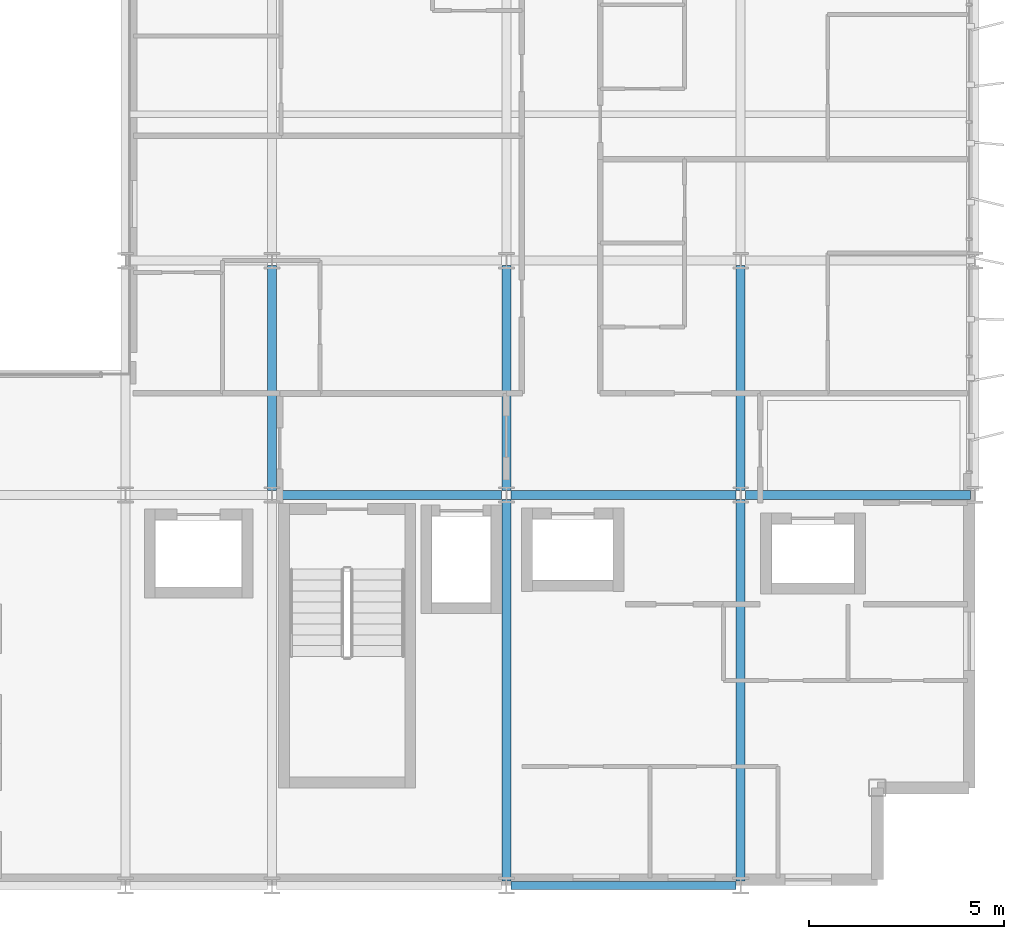
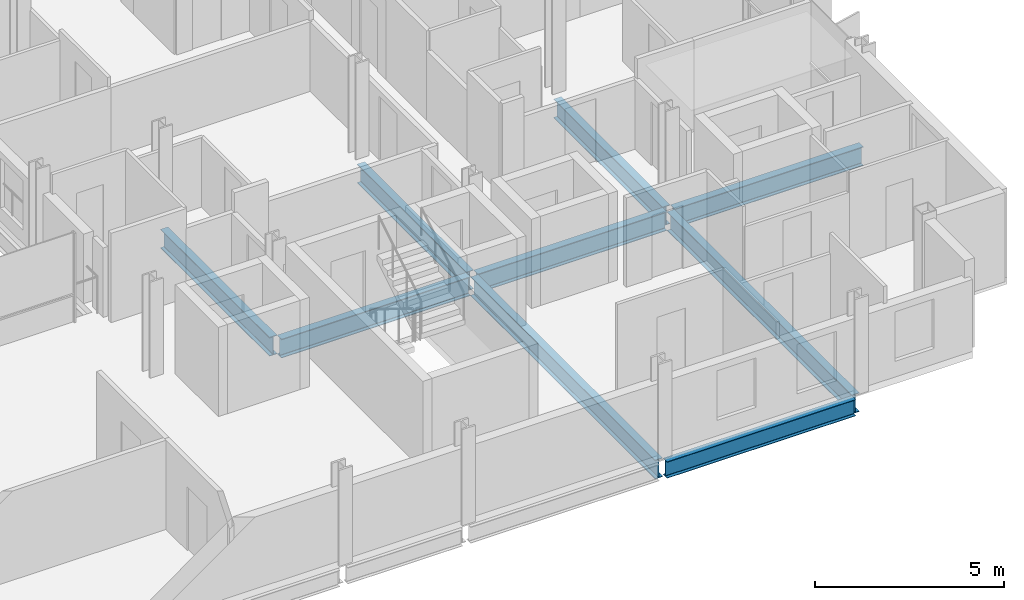
# One storey, part 14 of 39: 9 beams.
"""IFC4 building model written with IfcOpenShell, lengths in metres."""

from ifc_helpers import new_model, si_unit, direction, frame, origin, origin_2d, place, context, subcontext, project, spatial, i_section, extrude, material, material_profile, profile_set, type_object, element, save


model = new_model("IFC4")

# Units and contexts
model_context = context("Model", 3, precision=1e-05, world=origin(), true_north=direction((0.0, 1.0)))
body_context = subcontext(model_context, "Body", "Model", "MODEL_VIEW")
ifc_project = project(units=[si_unit("LENGTHUNIT", "METRE"), si_unit("AREAUNIT", "SQUARE_METRE"), si_unit("VOLUMEUNIT", "CUBIC_METRE"), si_unit("PLANEANGLEUNIT", "RADIAN"), si_unit("MASSUNIT", "GRAM", prefix="KILO")], contexts=[model_context])

# Site, building, storey
site_placement = place(None, origin())
site = spatial("IfcSite", under=ifc_project, at=site_placement, CompositionType="ELEMENT")
building_placement = place(site_placement, origin())
building = spatial("IfcBuilding", under=site, at=building_placement, Name="Brevholm Reach", CompositionType="ELEMENT")
storey_placement = place(building_placement, frame((0.0, 0.0, 103.5)))
storey = spatial("IfcBuildingStorey", under=building, at=storey_placement, Name="L30", CompositionType="ELEMENT", Elevation=103.5)

# Beams
ifc_material_1 = material(Name="Structural Steel S355J2", Category="steel")
ifc_material_profile_1 = material_profile(ifc_material_1, i_section(OverallWidth=0.209228515625, OverallDepth=0.533203125, WebThickness=0.010009765625, FlangeThickness=0.015625, FilletRadius=0.0126953125, at=origin_2d()), Name="UKB 533x210x92")
ifc_profile_set_1 = profile_set([ifc_material_profile_1], Name="Structural Steel S355J2")
beam_type_1 = type_object("IfcBeamType", Name="BM-SP533", PredefinedType="SPANDREL", material=ifc_profile_set_1)
beam_1_placement = place(storey_placement, frame((48.1201171875, 0.0, -0.486572265625), z_axis=(1.0, 0.0, 0.0), x_axis=(0.0, 1.0, 0.0)))
element("IfcBeam", 1, at=beam_1_placement, inside=storey, type_object=beam_type_1, Name="L30 SP-02 Framing Beam", PredefinedType="SPANDREL", context=body_context, shape_type="SweptSolid", body=[
    extrude(i_section(OverallWidth=0.209228515625, OverallDepth=0.533203125, WebThickness=0.010009765625, FlangeThickness=0.015625, FilletRadius=0.0126953125, at=origin_2d()), origin(), (0.0, 0.0, 1.0), 5.759765625),
])
ifc_material_2 = material(Name="Structural Steel S355J2", Category="steel")
ifc_material_profile_2 = material_profile(ifc_material_2, i_section(OverallWidth=0.22900390625, OverallDepth=0.6123046875, WebThickness=0.011962890625, FlangeThickness=0.01953125, FilletRadius=0.0126953125, at=origin_2d()), Name="UKB 610x229x125")
ifc_profile_set_2 = profile_set([ifc_material_profile_2], Name="Structural Steel S355J2")
beam_type_2 = type_object("IfcBeamType", Name="BM-SP610", PredefinedType="SPANDREL", material=ifc_profile_set_2)
for number, where, z_axis, x_axis, name in (
    (2, (42.1201171875, 10.0, -0.526123046875), (1.0, 0.0, 0.0), (0.0, 1.0, 0.0), "L30 SP-01 Framing Beam"),
    (3, (48.1201171875, 10.0, -0.526123046875), (1.0, 0.0, 0.0), (0.0, 1.0, 0.0), "L30 SP-01 Framing Beam"),
    (4, (54.1201171875, 10.0, -0.526123046875), (1.0, 0.0, 0.0), (0.0, 1.0, 0.0), "L30 SP-01 Framing Beam"),
    (5, (42.0, 10.1201171875, -0.526123046875), (0.0, 1.0, 0.0), (-1.0, 0.0, 0.0), "L30 SP-01 Framing Beam"),
):
    element("IfcBeam", number, at=place(storey_placement, frame(where, z_axis=z_axis, x_axis=x_axis)), inside=storey, type_object=beam_type_2, Name=name, PredefinedType="SPANDREL", context=body_context, shape_type="SweptSolid", body=[
        extrude(i_section(OverallWidth=0.22900390625, OverallDepth=0.6123046875, WebThickness=0.011962890625, FlangeThickness=0.01953125, FilletRadius=0.0126953125, at=origin_2d()), origin(), (0.0, 0.0, 1.0), 5.759765625),
    ])
beam_2_placement = place(storey_placement, frame((48.0, 0.1201171875, -0.526123046875), z_axis=(0.0, 1.0, 0.0), x_axis=(-1.0, 0.0, 0.0)))
element("IfcBeam", 6, at=beam_2_placement, inside=storey, type_object=beam_type_2, Name="L30 SP-01 Framing Beam", PredefinedType="SPANDREL", context=body_context, shape_type="SweptSolid", body=[
    extrude(i_section(OverallWidth=0.22900390625, OverallDepth=0.6123046875, WebThickness=0.011962890625, FlangeThickness=0.01953125, FilletRadius=0.0126953125, at=origin_2d()), origin(), (0.0, 0.0, 1.0), 9.759765625),
])
beam_3_placement = place(storey_placement, frame((48.0, 10.1201171875, -0.526123046875), z_axis=(0.0, 1.0, 0.0), x_axis=(-1.0, 0.0, 0.0)))
element("IfcBeam", 7, at=beam_3_placement, inside=storey, type_object=beam_type_2, Name="L30 SP-01 Framing Beam", PredefinedType="SPANDREL", context=body_context, shape_type="SweptSolid", body=[
    extrude(i_section(OverallWidth=0.22900390625, OverallDepth=0.6123046875, WebThickness=0.011962890625, FlangeThickness=0.01953125, FilletRadius=0.0126953125, at=origin_2d()), origin(), (0.0, 0.0, 1.0), 5.759765625),
])
beam_4_placement = place(storey_placement, frame((54.0, 0.1201171875, -0.526123046875), z_axis=(0.0, 1.0, 0.0), x_axis=(-1.0, 0.0, 0.0)))
element("IfcBeam", 8, at=beam_4_placement, inside=storey, type_object=beam_type_2, Name="L30 SP-01 Framing Beam", PredefinedType="SPANDREL", context=body_context, shape_type="SweptSolid", body=[
    extrude(i_section(OverallWidth=0.22900390625, OverallDepth=0.6123046875, WebThickness=0.011962890625, FlangeThickness=0.01953125, FilletRadius=0.0126953125, at=origin_2d()), origin(), (0.0, 0.0, 1.0), 9.759765625),
])
beam_5_placement = place(storey_placement, frame((54.0, 10.1201171875, -0.526123046875), z_axis=(0.0, 1.0, 0.0), x_axis=(-1.0, 0.0, 0.0)))
element("IfcBeam", 9, at=beam_5_placement, inside=storey, type_object=beam_type_2, Name="L30 SP-01 Framing Beam", PredefinedType="SPANDREL", context=body_context, shape_type="SweptSolid", body=[
    extrude(i_section(OverallWidth=0.22900390625, OverallDepth=0.6123046875, WebThickness=0.011962890625, FlangeThickness=0.01953125, FilletRadius=0.0126953125, at=origin_2d()), origin(), (0.0, 0.0, 1.0), 5.759765625),
])

save(model, "model.ifc")
